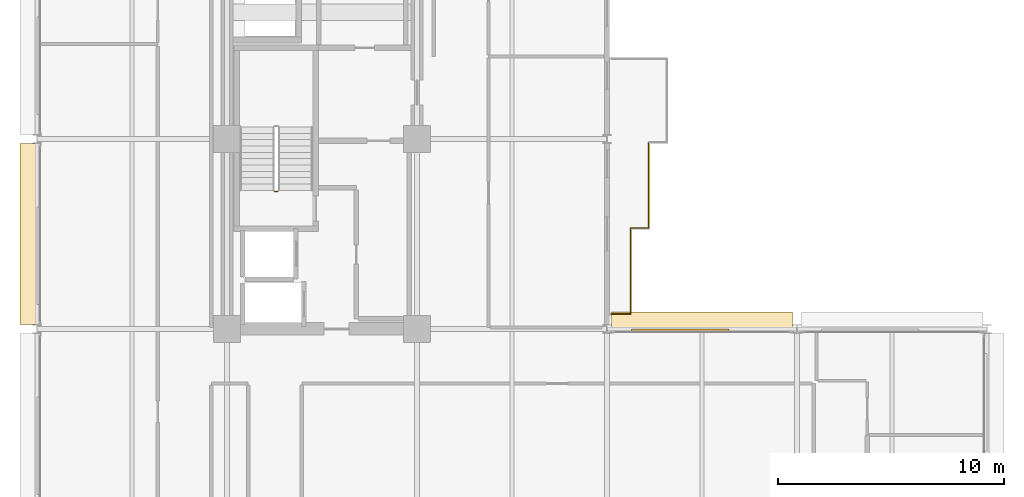
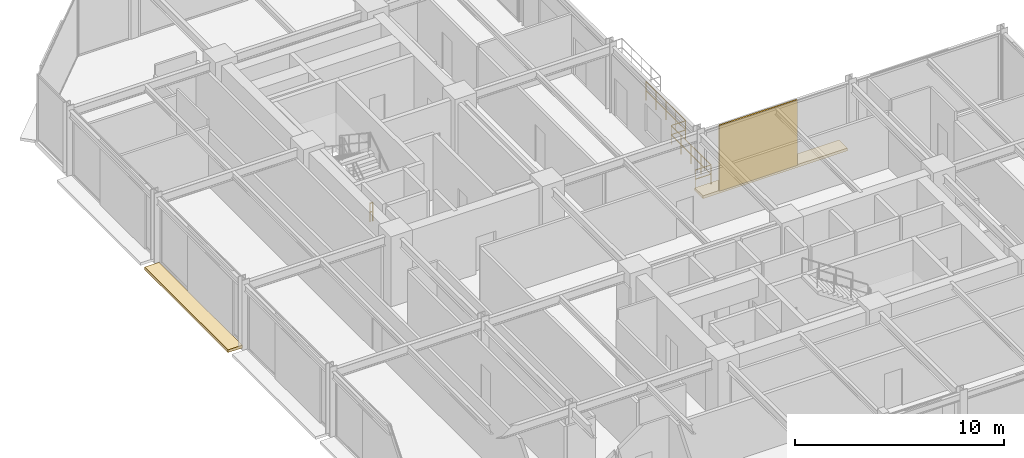
# One storey, part 28 of 30: 5 railings, 3 coverings.
"""IFC4 building model written with IfcOpenShell, lengths in metres."""

import ifcopenshell
import ifcopenshell.guid

model = None  # the IFC model being written
_history = None  # IfcOwnerHistory: only IFC2X3 demands one
_inside = {}  # id of a spatial element -> (the spatial element, [elements in it])
_under = {}  # id of a project, library or spatial element -> (it, [spatial elements below it])
_declared = {}  # id of a project -> (the project, [libraries it declares])
_typed = {}  # id of a type object -> (the type object, [elements of that type])
_made_of = {}  # id of a material, layer set ... -> (it, [elements and type objects made of it])


def new_model(schema):
    """Start an empty IFC model of exactly this schema.

    Asked for "IFC4X3", IfcOpenShell would pick the latest addendum, in which some entities
    have other attributes; the version numbers below select the first issue.
    IFC2X3 requires an IfcOwnerHistory on every rooted entity: one is made here for all.
    """
    global model, _history
    if schema == "IFC4X3":
        model = ifcopenshell.file(schema_version=(4, 3, 0, 0))
    else:
        model = ifcopenshell.file(schema=schema)
    _inside.clear()
    _under.clear()
    _declared.clear()
    _typed.clear()
    _made_of.clear()
    _history = None
    if model.schema == "IFC2X3":
        org = make("IfcOrganization", Name="unknown")
        user = make(
            "IfcPersonAndOrganization",
            ThePerson=make("IfcPerson", FamilyName="unknown"),
            TheOrganization=org,
        )
        app = make(
            "IfcApplication",
            ApplicationDeveloper=org,
            Version="unknown",
            ApplicationFullName="unknown",
            ApplicationIdentifier="unknown",
        )
        _history = make(
            "IfcOwnerHistory",
            OwningUser=user,
            OwningApplication=app,
            ChangeAction="ADDED",
            CreationDate=0,
        )
    return model


def make(cls, **values):
    """One entity of the class cls with the attributes given. An attribute that is None is left unset."""
    return model.create_entity(
        cls, **{name: value for name, value in values.items() if value is not None}
    )


def rooted(cls, **values):
    """An entity with a GlobalId (a new one), such as an element, a storey or a relation."""
    return make(cls, GlobalId=ifcopenshell.guid.new(), OwnerHistory=_history, **values)


def si_unit(unit_type, name, prefix=None):
    """IfcSIUnit, for example si_unit("LENGTHUNIT", "METRE", prefix="MILLI")."""
    return make("IfcSIUnit", UnitType=unit_type, Prefix=prefix, Name=name)


def assignment(units):
    """IfcUnitAssignment: the units of a project."""
    return None if units is None else make("IfcUnitAssignment", Units=units)


def point(xyz):
    """IfcCartesianPoint."""
    return None if xyz is None else make("IfcCartesianPoint", Coordinates=xyz)


def direction(xyz):
    """IfcDirection."""
    return None if xyz is None else make("IfcDirection", DirectionRatios=xyz)


def frame(location, z_axis=None, x_axis=None):
    """IfcAxis2Placement3D, a coordinate frame: its origin and axes. An axis left out is left unset."""
    return make(
        "IfcAxis2Placement3D",
        Location=point(location),
        Axis=direction(z_axis),
        RefDirection=direction(x_axis),
    )


def frame_2d(location, x_axis=None):
    """IfcAxis2Placement2D, a coordinate frame in the plane: its origin and x axis."""
    return make(
        "IfcAxis2Placement2D", Location=point(location), RefDirection=direction(x_axis)
    )


def origin():
    """The frame at (0, 0, 0) with its axes left unset."""
    return frame((0.0, 0.0, 0.0))


def origin_2d():
    """The frame at (0, 0) in the plane with its x axis left unset."""
    return frame_2d((0.0, 0.0))


def place(relative_to, where):
    """IfcLocalPlacement: puts the frame where relative to a parent placement (None: the world)."""
    return make(
        "IfcLocalPlacement", PlacementRelTo=relative_to, RelativePlacement=where
    )


def context(
    kind, dimensions, precision=None, world=None, true_north=None, identifier=None
):
    """IfcGeometricRepresentationContext, for example the 3D "Model" context."""
    return make(
        "IfcGeometricRepresentationContext",
        ContextIdentifier=identifier,
        ContextType=kind,
        CoordinateSpaceDimension=dimensions,
        Precision=precision,
        WorldCoordinateSystem=world,
        TrueNorth=true_north,
    )


def subcontext(parent, identifier, kind, view, scale=None):
    """IfcGeometricRepresentationSubContext, for example "Body" below "Model"."""
    return make(
        "IfcGeometricRepresentationSubContext",
        ContextIdentifier=identifier,
        ContextType=kind,
        ParentContext=parent,
        TargetScale=scale,
        TargetView=view,
    )


def project(units=None, contexts=None):
    """IfcProject with its units and contexts."""
    return rooted(
        "IfcProject",
        Name="project",
        RepresentationContexts=contexts,
        UnitsInContext=assignment(units),
    )


def spatial(cls, under=None, at=None, **own):
    """A site, building, storey or space (cls), placed at a placement, below another one or the project."""
    s = rooted(cls, ObjectPlacement=at, **own)
    if under is not None:
        _under.setdefault(under.id(), (under, []))[1].append(s)
    return s


def polyline(points):
    """IfcPolyline through the points."""
    return make("IfcPolyline", Points=[point(p) for p in points])


def profile(cls, at=None, kind="AREA", **sizes):
    """A parametric profile (cls). Its sizes go by their IFC names, for example OverallWidth=200.0."""
    return make(cls, ProfileType=kind, Position=at, **sizes)


def rectangle(**sizes):
    """IfcRectangleProfileDef."""
    return profile("IfcRectangleProfileDef", **sizes)


def circle(**sizes):
    """IfcCircleProfileDef."""
    return profile("IfcCircleProfileDef", **sizes)


def outline(outer, holes=None, kind="AREA"):
    """IfcArbitraryClosedProfileDef: a profile drawn as a closed curve; with holes, ...WithVoids."""
    if holes is None:
        return make("IfcArbitraryClosedProfileDef", ProfileType=kind, OuterCurve=outer)
    return make(
        "IfcArbitraryProfileDefWithVoids",
        ProfileType=kind,
        OuterCurve=outer,
        InnerCurves=holes,
    )


def extrude(swept, where, along, depth):
    """IfcExtrudedAreaSolid: the profile swept, set in the frame where, extruded along a direction by depth."""
    return make(
        "IfcExtrudedAreaSolid",
        SweptArea=swept,
        Position=where,
        ExtrudedDirection=direction(along),
        Depth=depth,
    )


def shape(context_of_items, identifier, shape_type, items):
    """IfcShapeRepresentation: the items that make up one representation, for example the "Body"."""
    return make(
        "IfcShapeRepresentation",
        ContextOfItems=context_of_items,
        RepresentationIdentifier=identifier,
        RepresentationType=shape_type,
        Items=items,
    )


def material(Name=None, Category=None):
    """IfcMaterial."""
    return make("IfcMaterial", Name=Name, Category=Category)


def layer(
    of_material, thickness, ventilated=None, Name=None, Category=None, Priority=None
):
    """IfcMaterialLayer: one layer of a wall or slab, of a material (None: an air gap)."""
    return make(
        "IfcMaterialLayer",
        Material=of_material,
        LayerThickness=thickness,
        IsVentilated=ventilated,
        Name=Name,
        Category=Category,
        Priority=Priority,
    )


def layer_set(layers, Name=None):
    """IfcMaterialLayerSet."""
    return make("IfcMaterialLayerSet", MaterialLayers=layers, LayerSetName=Name)


def made_of(thing, what):
    """Note that an element or type object is made of a material, layer set ...; save() writes the relation."""
    if what is not None:
        _made_of.setdefault(what.id(), (what, []))[1].append(thing)
    return thing


def type_object(cls, material=None, **own):
    """A type object (cls), such as IfcWallType, which elements share."""
    return made_of(rooted(cls, **own), material)


def element(
    cls,
    number,
    at=None,
    inside=None,
    cuts=None,
    type_object=None,
    material=None,
    context=None,
    identifier="Body",
    shape_type=None,
    held_by="IfcProductDefinitionShape",
    body=None,
    shapes=None,
    **own,
):
    """One element of the class cls, such as IfcWall. Its Tag is "e" and its number.

    at: its placement. inside: the storey or other place that contains it. cuts: it is an
    opening in that element (IfcRelVoidsElement). A single representation is given by context,
    identifier, shape_type and body (its items); several are given by shapes. held_by: the class
    of the entity that holds the representations. save() writes the other relations.
    """
    e = rooted(cls, Tag="e%d" % number, ObjectPlacement=at, **own)
    if body is not None:
        shapes = [shape(context, identifier, shape_type, body)]
    if shapes is not None:
        e.Representation = make(held_by, Representations=shapes)
    if inside is not None:
        _inside.setdefault(inside.id(), (inside, []))[1].append(e)
    if cuts is not None:
        rooted(
            "IfcRelVoidsElement", RelatingBuildingElement=cuts, RelatedOpeningElement=e
        )
    if type_object is not None:
        _typed.setdefault(type_object.id(), (type_object, []))[1].append(e)
    return made_of(e, material)


def aggregate(whole, parts):
    """IfcRelAggregates: a whole, such as a stair, and the parts it consists of."""
    return rooted("IfcRelAggregates", RelatingObject=whole, RelatedObjects=parts)


def save(model, path):
    """Write the relations noted so far, then the file.

    IfcRelAggregates (storeys below a building ...), IfcRelContainedInSpatialStructure (elements
    in a storey), IfcRelDefinesByType, IfcRelAssociatesMaterial and IfcRelDeclares: one each for
    every whole, place, type object, material and project.
    """
    for whole, parts in _under.values():
        aggregate(whole, parts)
    for where, things in _inside.values():
        rooted(
            "IfcRelContainedInSpatialStructure",
            RelatedElements=things,
            RelatingStructure=where,
        )
    for kind, things in _typed.values():
        rooted("IfcRelDefinesByType", RelatedObjects=things, RelatingType=kind)
    for what, things in _made_of.values():
        rooted("IfcRelAssociatesMaterial", RelatedObjects=things, RelatingMaterial=what)
    for by, libraries in _declared.values():
        rooted("IfcRelDeclares", RelatingContext=by, RelatedDefinitions=libraries)
    model.write(path)


model = new_model("IFC4")

# Units and contexts
model_context = context("Model", 3, precision=1e-05, world=origin(), true_north=direction((0.0, 1.0)))
body_context = subcontext(model_context, "Body", "Model", "MODEL_VIEW")
ifc_project = project(units=[si_unit("LENGTHUNIT", "METRE"), si_unit("AREAUNIT", "SQUARE_METRE"), si_unit("VOLUMEUNIT", "CUBIC_METRE"), si_unit("PLANEANGLEUNIT", "RADIAN"), si_unit("MASSUNIT", "GRAM", prefix="KILO")], contexts=[model_context])

# Site, building, storey
site_placement = place(None, origin())
site = spatial("IfcSite", under=ifc_project, at=site_placement, CompositionType="ELEMENT")
building_placement = place(site_placement, origin())
building = spatial("IfcBuilding", under=site, at=building_placement, Name="Nerrivon Quay Data Exchange", CompositionType="ELEMENT")
storey_placement = place(building_placement, frame((0.0, 0.0, 154.10009765625)))
storey = spatial("IfcBuildingStorey", under=building, at=storey_placement, Name="L36", CompositionType="ELEMENT", Elevation=154.10009765625)

# Coverings
ifc_material_1 = material(Name="Architectural terracotta ceramic", Category="masonry")
ifc_layer_1 = layer(ifc_material_1, 0.159912109375)
ifc_layer_set_1 = layer_set([ifc_layer_1], Name="Architectural terracotta ceramic")
covering_type_1 = type_object("IfcCoveringType", Name="COV-BLD-TERR", PredefinedType="CLADDING", material=ifc_layer_set_1)
covering_1_placement = place(storey_placement, frame((0.0, 0.0, -0.16015625)))
element("IfcCovering", 1, at=covering_1_placement, inside=storey, type_object=covering_type_1, Name="L36 Horizontal Terracotta SOLAR SCREEN Blade", PredefinedType="CLADDING", context=body_context, shape_type="SweptSolid", body=[
    extrude(outline(polyline([(0.0400390625, 25.39990234375), (0.0400390625, 33.39990234375), (-0.75, 33.39990234375), (-0.75, 25.39990234375), (0.0400390625, 25.39990234375)])), origin(), (0.0, 0.0, 1.0), 0.16015625),
])
covering_2_placement = place(storey_placement, frame((0.0, 0.0, -0.16015625)))
element("IfcCovering", 2, at=covering_2_placement, inside=storey, type_object=covering_type_1, Name="L36 Horizontal Terracotta SOLAR SCREEN Blade", PredefinedType="CLADDING", context=body_context, shape_type="SweptSolid", body=[
    extrude(outline(polyline([(25.39990234375, 25.159912109375), (33.39990234375, 25.159912109375), (33.39990234375, 25.949951171875), (25.39990234375, 25.949951171875), (25.39990234375, 25.159912109375)])), origin(), (0.0, 0.0, 1.0), 0.16015625),
])
ifc_layer_2 = layer(ifc_material_1, 0.090087890625)
ifc_layer_set_2 = layer_set([ifc_layer_2], Name="Architectural terracotta ceramic")
covering_type_2 = type_object("IfcCoveringType", Name="COV-SCR-TERR", PredefinedType="CLADDING", material=ifc_layer_set_2)
covering_3_placement = place(storey_placement, frame((28.43994140625, 25.155029296875, 0.0), z_axis=(0.0, 0.0, 1.0), x_axis=(1.0, 0.0, 0.0)))
element("IfcCovering", 3, at=covering_3_placement, inside=storey, type_object=covering_type_2, Name="L36 Perforated Terracotta SOLAR SCREEN Cassette", PredefinedType="CLADDING", context=body_context, shape_type="SweptSolid", body=[
    extrude(rectangle(XDim=4.320068359375, YDim=0.090087890625, at=origin_2d()), origin(), (0.0, 0.0, 1.0), 3.824951171875),
])

# Railings
ifc_material_2 = material(Name="Steel Grade C350L0 (350 MPa)", Category="steel")
railing_type_1 = type_object("IfcRailingType", Name="RAIL-GUARD-GR2", PredefinedType="BALUSTRADE", material=ifc_material_2)
railing_1_placement = place(storey_placement, frame((26.239990234375, 29.659912109375, 0.0)))
element("IfcRailing", 4, at=railing_1_placement, inside=storey, type_object=railing_type_1, Name="L36 Verandah Balcony Guard 1.1 1", PredefinedType="BALUSTRADE", context=body_context, shape_type="SweptSolid", body=[
    extrude(circle(Radius=0.02392578125, at=origin_2d()), frame((0.0, 0.0, 1.09619140625), z_axis=(0.0, -1.0, 0.0), x_axis=(1.0, 0.0, 0.0)), (0.0, 0.0, 1.0), 3.7998046875),
    extrude(circle(Radius=0.02392578125, at=origin_2d()), frame((0.0, 0.0, 0.56005859375), z_axis=(0.0, -1.0, 0.0), x_axis=(1.0, 0.0, 0.0)), (0.0, 0.0, 1.0), 3.7998046875),
    extrude(circle(Radius=0.02099609375, at=origin_2d()), origin(), (0.0, 0.0, 1.0), 1.072021484375),
    extrude(circle(Radius=0.02099609375, at=origin_2d()), frame((0.0, -0.949951171875, 0.0)), (0.0, 0.0, 1.0), 1.072021484375),
    extrude(circle(Radius=0.02099609375, at=origin_2d()), frame((0.0, -1.89990234375, 0.0)), (0.0, 0.0, 1.0), 1.072021484375),
    extrude(circle(Radius=0.02099609375, at=origin_2d()), frame((0.0, -2.849853515625, 0.0)), (0.0, 0.0, 1.0), 1.072021484375),
    extrude(circle(Radius=0.02099609375, at=origin_2d()), frame((0.0, -3.7998046875, 0.0)), (0.0, 0.0, 1.0), 1.072021484375),
])
railing_2_placement = place(storey_placement, frame((26.239990234375, 25.860107421875, 0.0)))
element("IfcRailing", 5, at=railing_2_placement, inside=storey, type_object=railing_type_1, Name="L36 Verandah Balcony Guard 1.2 1", PredefinedType="BALUSTRADE", context=body_context, shape_type="SweptSolid", body=[
    extrude(circle(Radius=0.02392578125, at=origin_2d()), frame((0.0, 0.0, 1.09619140625), z_axis=(-1.0, 0.0, 0.0), x_axis=(0.0, -1.0, 0.0)), (0.0, 0.0, 1.0), 0.860107421875),
    extrude(circle(Radius=0.02392578125, at=origin_2d()), frame((0.0, 0.0, 0.56005859375), z_axis=(-1.0, 0.0, 0.0), x_axis=(0.0, -1.0, 0.0)), (0.0, 0.0, 1.0), 0.860107421875),
    extrude(circle(Radius=0.02099609375, at=origin_2d()), origin(), (0.0, 0.0, 1.0), 1.072021484375),
    extrude(circle(Radius=0.02099609375, at=origin_2d()), frame((-0.860107421875, 0.0, 0.0)), (0.0, 0.0, 1.0), 1.072021484375),
])
railing_3_placement = place(storey_placement, frame((27.0400390625, 33.4599609375, 0.0)))
element("IfcRailing", 6, at=railing_3_placement, inside=storey, type_object=railing_type_1, Name="L36 Verandah Balcony Guard 1.6 1", PredefinedType="BALUSTRADE", context=body_context, shape_type="SweptSolid", body=[
    extrude(circle(Radius=0.02392578125, at=origin_2d()), frame((0.0, 0.0, 1.09619140625), z_axis=(0.0, -1.0, 0.0), x_axis=(1.0, 0.0, 0.0)), (0.0, 0.0, 1.0), 3.800048828125),
    extrude(circle(Radius=0.02392578125, at=origin_2d()), frame((0.0, 0.0, 0.56005859375), z_axis=(0.0, -1.0, 0.0), x_axis=(1.0, 0.0, 0.0)), (0.0, 0.0, 1.0), 3.800048828125),
    extrude(circle(Radius=0.02099609375, at=origin_2d()), origin(), (0.0, 0.0, 1.0), 1.072021484375),
    extrude(circle(Radius=0.02099609375, at=origin_2d()), frame((0.0, -0.949951171875, 0.0)), (0.0, 0.0, 1.0), 1.072021484375),
    extrude(circle(Radius=0.02099609375, at=origin_2d()), frame((0.0, -1.89990234375, 0.0)), (0.0, 0.0, 1.0), 1.072021484375),
    extrude(circle(Radius=0.02099609375, at=origin_2d()), frame((0.0, -2.85009765625, 0.0)), (0.0, 0.0, 1.0), 1.072021484375),
    extrude(circle(Radius=0.02099609375, at=origin_2d()), frame((0.0, -3.800048828125, 0.0)), (0.0, 0.0, 1.0), 1.072021484375),
])
railing_4_placement = place(storey_placement, frame((27.0400390625, 29.659912109375, 0.0)))
element("IfcRailing", 7, at=railing_4_placement, inside=storey, type_object=railing_type_1, Name="L36 Verandah Balcony Guard 1.7 1", PredefinedType="BALUSTRADE", context=body_context, shape_type="SweptSolid", body=[
    extrude(circle(Radius=0.02392578125, at=origin_2d()), frame((0.0, 0.0, 1.09619140625), z_axis=(-1.0, 0.0, 0.0), x_axis=(0.0, -1.0, 0.0)), (0.0, 0.0, 1.0), 0.800048828125),
    extrude(circle(Radius=0.02392578125, at=origin_2d()), frame((0.0, 0.0, 0.56005859375), z_axis=(-1.0, 0.0, 0.0), x_axis=(0.0, -1.0, 0.0)), (0.0, 0.0, 1.0), 0.800048828125),
    extrude(circle(Radius=0.02099609375, at=origin_2d()), origin(), (0.0, 0.0, 1.0), 1.072021484375),
    extrude(circle(Radius=0.02099609375, at=origin_2d()), frame((-0.800048828125, 0.0, 0.0)), (0.0, 0.0, 1.0), 1.072021484375),
])
railing_type_2 = type_object("IfcRailingType", Name="RAIL-STAIR-GR1", PredefinedType="BALUSTRADE", material=ifc_material_2)
railing_5_placement = place(storey_placement, frame((10.64990234375, 31.280029296875, 0.0)))
element("IfcRailing", 8, at=railing_5_placement, inside=storey, type_object=railing_type_2, Name="L36 ST01 stair guard 4", PredefinedType="BALUSTRADE", context=body_context, shape_type="SweptSolid", body=[
    extrude(circle(Radius=0.02392578125, at=origin_2d()), frame((0.0, 0.0, 1.076171875), z_axis=(-1.0, 0.0, 0.0), x_axis=(0.0, -1.0, 0.0)), (0.0, 0.0, 1.0), 0.14990234375),
    extrude(circle(Radius=0.02392578125, at=origin_2d()), frame((0.0, 0.0, 0.550048828125), z_axis=(-1.0, 0.0, 0.0), x_axis=(0.0, -1.0, 0.0)), (0.0, 0.0, 1.0), 0.14990234375),
    extrude(circle(Radius=0.02099609375, at=origin_2d()), origin(), (0.0, 0.0, 1.0), 1.052001953125),
    extrude(circle(Radius=0.02099609375, at=origin_2d()), frame((-0.14990234375, 0.0, 0.0)), (0.0, 0.0, 1.0), 1.052001953125),
])

save(model, "model.ifc")
